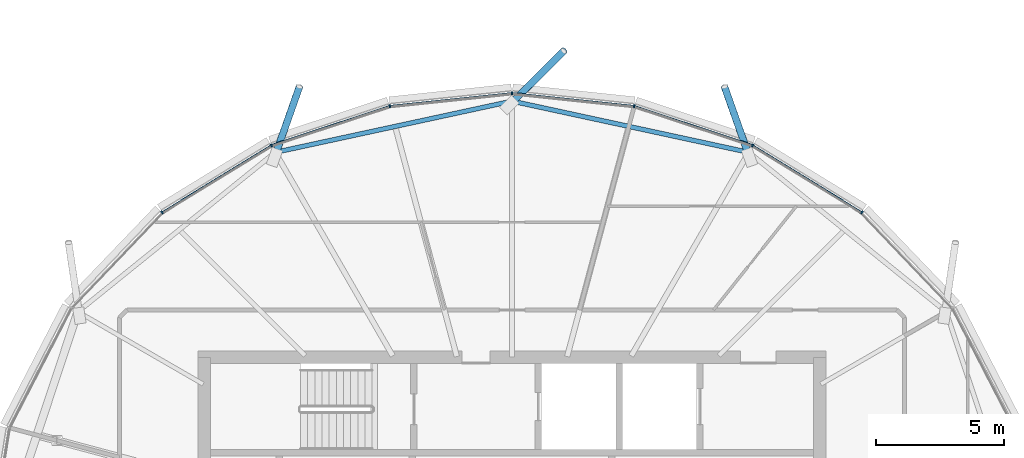
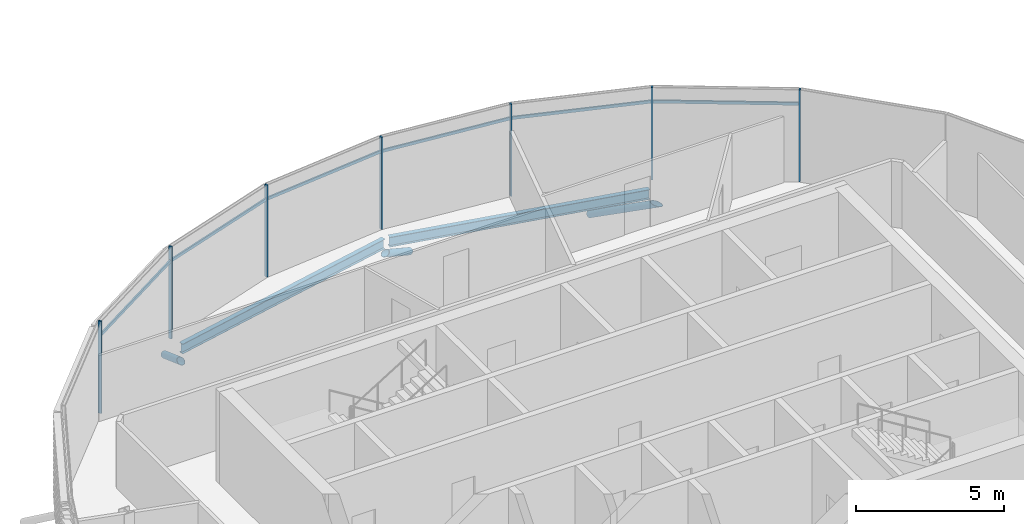
# One storey, part 8 of 33: 16 members, 2 beams, 1 element without a shape of its own.
"""IFC4 building model written with IfcOpenShell, lengths in metres."""

from ifc_helpers import new_model, si_unit, direction, frame, origin, origin_2d, place, context, subcontext, project, spatial, rectangle, hollow_circle, i_section, extrude, clip, halfspace, material, material_profile, profile_set, type_object, element, aggregate, save


model = new_model("IFC4")

# Units and contexts
model_context = context("Model", 3, precision=1e-05, world=origin(), true_north=direction((0.0, 1.0)))
body_context = subcontext(model_context, "Body", "Model", "MODEL_VIEW")
ifc_project = project(units=[si_unit("LENGTHUNIT", "METRE"), si_unit("AREAUNIT", "SQUARE_METRE"), si_unit("VOLUMEUNIT", "CUBIC_METRE"), si_unit("PLANEANGLEUNIT", "RADIAN"), si_unit("MASSUNIT", "GRAM", prefix="KILO")], contexts=[model_context])

# Site, building, storey
site_placement = place(None, origin())
site = spatial("IfcSite", under=ifc_project, at=site_placement, CompositionType="ELEMENT")
building_placement = place(site_placement, origin())
building = spatial("IfcBuilding", under=site, at=building_placement, Name="Rimbun Link Towers", CompositionType="ELEMENT")
storey_placement = place(building_placement, frame((0.0, 0.0, 240.89990234375)))
storey = spatial("IfcBuildingStorey", under=building, at=storey_placement, Name="L59", CompositionType="ELEMENT", Elevation=240.89990234375)

# Curtain wall, members
ifc_material_1 = material(Name="Aluminium 6063-T6 and low-iron glass", Category="aluminium")
curtain_wall_type = type_object("IfcCurtainWallType", Name="CW1-Z4 unitised vision wall (zone 4)", PredefinedType="NOTDEFINED", material=ifc_material_1)
curtain_wall_placement = place(storey_placement, origin())
curtain_wall = element("IfcCurtainWall", 1, at=curtain_wall_placement, inside=storey, type_object=curtain_wall_type, Name="CW1 L59 T1", PredefinedType="NOTDEFINED")
ifc_material_2 = material(Name="Aluminium 6063-T6", Category="aluminium")
ifc_material_profile_1 = material_profile(ifc_material_2, rectangle(XDim=0.1201171875, YDim=0.06005859375, at=origin_2d()), Name="MULLION 60X120")
ifc_profile_set_1 = profile_set([ifc_material_profile_1], Name="Aluminium 6063-T6")
member_type_1 = type_object("IfcMemberType", Name="CW1 mullion 60X120", PredefinedType="MULLION", material=ifc_profile_set_1)
member_1_placement = place(storey_placement, frame((-18.10888671875, 13.650146484375, 0.0), z_axis=(0.0, 0.0, 1.0), x_axis=(0.627668219007, 0.778480961134, 0.0)))
member_1 = element("IfcMember", 2, at=member_1_placement, type_object=member_type_1, Name="CW1 mullion", PredefinedType="MULLION", context=body_context, shape_type="SweptSolid", body=[
    extrude(rectangle(XDim=0.1201171875, YDim=0.06005859375, at=origin_2d()), origin(), (0.0, 0.0, 1.0), 3.800048828125),
])
member_2_placement = place(storey_placement, frame((-22.365966796875, 16.26416015625, 0.0), z_axis=(0.0, 0.0, 1.0), x_axis=(0.421706445948, 0.90673241557, 0.0)))
member_2 = element("IfcMember", 3, at=member_2_placement, type_object=member_type_1, Name="CW1 mullion", PredefinedType="MULLION", context=body_context, shape_type="SweptSolid", body=[
    extrude(rectangle(XDim=0.1201171875, YDim=0.06005859375, at=origin_2d()), origin(), (0.0, 0.0, 1.0), 3.800048828125),
])
member_3_placement = place(storey_placement, frame((-26.98486328125, 17.794921875, 0.0), z_axis=(0.0, 0.0, 1.0), x_axis=(0.210871343796, 0.97751382413, 0.0)))
member_3 = element("IfcMember", 4, at=member_3_placement, type_object=member_type_1, Name="CW1 mullion", PredefinedType="MULLION", context=body_context, shape_type="SweptSolid", body=[
    extrude(rectangle(XDim=0.1201171875, YDim=0.06005859375, at=origin_2d()), origin(), (0.0, 0.0, 1.0), 3.800048828125),
])
member_4_placement = place(storey_placement, frame((-31.75, 18.296875, 0.0), z_axis=(0.0, 0.0, 1.0), x_axis=(0.0, 1.0, 0.0)))
member_4 = element("IfcMember", 5, at=member_4_placement, type_object=member_type_1, Name="CW1 mullion", PredefinedType="MULLION", context=body_context, shape_type="SweptSolid", body=[
    extrude(rectangle(XDim=0.1201171875, YDim=0.06005859375, at=origin_2d()), origin(), (0.0, 0.0, 1.0), 3.800048828125),
])
member_5_placement = place(storey_placement, frame((-36.51513671875, 17.794921875, 0.0), z_axis=(0.0, 0.0, 1.0), x_axis=(-0.210871343796, 0.97751382413, 0.0)))
member_5 = element("IfcMember", 6, at=member_5_placement, type_object=member_type_1, Name="CW1 mullion", PredefinedType="MULLION", context=body_context, shape_type="SweptSolid", body=[
    extrude(rectangle(XDim=0.1201171875, YDim=0.06005859375, at=origin_2d()), origin(), (0.0, 0.0, 1.0), 3.800048828125),
])
member_6_placement = place(storey_placement, frame((-41.134033203125, 16.26416015625, 0.0), z_axis=(0.0, 0.0, 1.0), x_axis=(-0.421706445948, 0.90673241557, 0.0)))
member_6 = element("IfcMember", 7, at=member_6_placement, type_object=member_type_1, Name="CW1 mullion", PredefinedType="MULLION", context=body_context, shape_type="SweptSolid", body=[
    extrude(rectangle(XDim=0.1201171875, YDim=0.06005859375, at=origin_2d()), origin(), (0.0, 0.0, 1.0), 3.800048828125),
])
member_7_placement = place(storey_placement, frame((-45.39111328125, 13.650146484375, 0.0), z_axis=(0.0, 0.0, 1.0), x_axis=(-0.627668219007, 0.778480961134, 0.0)))
member_7 = element("IfcMember", 8, at=member_7_placement, type_object=member_type_1, Name="CW1 mullion", PredefinedType="MULLION", context=body_context, shape_type="SweptSolid", body=[
    extrude(rectangle(XDim=0.1201171875, YDim=0.06005859375, at=origin_2d()), origin(), (0.0, 0.0, 1.0), 3.800048828125),
])
ifc_material_3 = material(Name="Aluminium 6063-T6", Category="aluminium")
ifc_material_profile_2 = material_profile(ifc_material_3, rectangle(XDim=0.06005859375, YDim=0.1201171875, at=origin_2d()), Name="TRANSOM 60X120")
ifc_profile_set_2 = profile_set([ifc_material_profile_2], Name="Aluminium 6063-T6")
member_type_2 = type_object("IfcMemberType", Name="CW1 transom 60X120", PredefinedType="USERDEFINED", material=ifc_profile_set_2)
member_8_placement = place(storey_placement, frame((-22.33544921875, 16.243408203125, 3.2001953125), z_axis=(0.852213138176, -0.523194769775, 0.0), x_axis=(0.523194769775, 0.852213138176, 0.0)))
member_8 = element("IfcMember", 9, at=member_8_placement, type_object=member_type_2, Name="CW1 transom", ObjectType="TRANSOM", PredefinedType="USERDEFINED", context=body_context, shape_type="SweptSolid", body=[
    extrude(rectangle(XDim=0.06005859375, YDim=0.1201171875, at=origin_2d()), origin(), (0.0, 0.0, 1.0), 4.921142578125),
])
member_9_placement = place(storey_placement, frame((-26.950927734375, 17.781982421875, 3.2001953125), z_axis=(0.94923709396, -0.314561503446, 0.0), x_axis=(0.314561503446, 0.94923709396, 0.0)))
member_9 = element("IfcMember", 10, at=member_9_placement, type_object=member_type_2, Name="CW1 transom", ObjectType="TRANSOM", PredefinedType="USERDEFINED", context=body_context, shape_type="SweptSolid", body=[
    extrude(rectangle(XDim=0.06005859375, YDim=0.1201171875, at=origin_2d()), origin(), (0.0, 0.0, 1.0), 4.792724609375),
])
member_10_placement = place(storey_placement, frame((-31.714111328125, 18.291259765625, 3.2001953125), z_axis=(0.994502050465, -0.104717102806, 0.0), x_axis=(0.104717102806, 0.994502050465, 0.0)))
member_10 = element("IfcMember", 11, at=member_10_placement, type_object=member_type_2, Name="CW1 transom", ObjectType="TRANSOM", PredefinedType="USERDEFINED", context=body_context, shape_type="SweptSolid", body=[
    extrude(rectangle(XDim=0.06005859375, YDim=0.1201171875, at=origin_2d()), origin(), (0.0, 0.0, 1.0), 4.71875),
])
member_11_placement = place(storey_placement, frame((-36.478759765625, 17.797119140625, 3.2001953125), z_axis=(0.994502050465, 0.104717102806, 0.0), x_axis=(-0.104717102806, 0.994502050465, 0.0)))
member_11 = element("IfcMember", 12, at=member_11_placement, type_object=member_type_2, Name="CW1 transom", ObjectType="TRANSOM", PredefinedType="USERDEFINED", context=body_context, shape_type="SweptSolid", body=[
    extrude(rectangle(XDim=0.06005859375, YDim=0.1201171875, at=origin_2d()), origin(), (0.0, 0.0, 1.0), 4.71875),
])
member_12_placement = place(storey_placement, frame((-41.098388671875, 16.2744140625, 3.2001953125), z_axis=(0.94923709396, 0.314561503446, 0.0), x_axis=(-0.314561503446, 0.94923709396, 0.0)))
member_12 = element("IfcMember", 13, at=member_12_placement, type_object=member_type_2, Name="CW1 transom", ObjectType="TRANSOM", PredefinedType="USERDEFINED", context=body_context, shape_type="SweptSolid", body=[
    extrude(rectangle(XDim=0.06005859375, YDim=0.1201171875, at=origin_2d()), origin(), (0.0, 0.0, 1.0), 4.792724609375),
])
member_13_placement = place(storey_placement, frame((-45.3583984375, 13.668701171875, 3.2001953125), z_axis=(0.852213138176, 0.523194769775, 0.0), x_axis=(-0.523194769775, 0.852213138176, 0.0)))
member_13 = element("IfcMember", 14, at=member_13_placement, type_object=member_type_2, Name="CW1 transom", ObjectType="TRANSOM", PredefinedType="USERDEFINED", context=body_context, shape_type="SweptSolid", body=[
    extrude(rectangle(XDim=0.06005859375, YDim=0.1201171875, at=origin_2d()), origin(), (0.0, 0.0, 1.0), 4.921142578125),
])
aggregate(curtain_wall, [member_1, member_2, member_3, member_4, member_5, member_6, member_7, member_8, member_9, member_10, member_11, member_12, member_13])

# Members
ifc_material_4 = material(Name="Steel S355J2H", Category="steel")
ifc_material_profile_3 = material_profile(ifc_material_4, hollow_circle(Radius=0.136474609375, WallThickness=0.012451171875, at=origin_2d()), Name="CHS 273x12.5")
ifc_profile_set_3 = profile_set([ifc_material_profile_3], Name="Steel S355J2H")
member_type_3 = type_object("IfcMemberType", Name="Floor edge link CHS 273x12.5", PredefinedType="BRACE", material=ifc_profile_set_3)
member_14_placement = place(storey_placement, frame((-22.5439453125, 15.9453125, -0.7900390625), z_axis=(-0.28572828046, 0.808884234012, -0.513873180573), x_axis=(-0.942902597786, -0.333068598173, 0.0)))
element("IfcMember", 15, at=member_14_placement, inside=storey, type_object=member_type_3, Name="Floor edge link T1 L59 04", PredefinedType="BRACE", context=body_context, shape_type="Clipping", body=[
    clip(extrude(hollow_circle(Radius=0.136474609375, WallThickness=0.012451171875, at=origin_2d()), frame((0.0, 0.0, -0.47509765625)), (0.0, 0.0, 1.0), 3.710205078125), halfspace(frame((0.0, 0.0, -0.223876953125), z_axis=(0.0, 0.857866163389, -0.513873180573)), False)),
])
member_15_placement = place(storey_placement, frame((-31.75, 17.935302734375, -0.78759765625), z_axis=(0.595968799284, 0.590767876111, -0.543888322025), x_axis=(-0.704001095381, 0.710198886018, 0.0)))
element("IfcMember", 16, at=member_15_placement, inside=storey, type_object=member_type_3, Name="Floor edge link T1 L59 06", PredefinedType="BRACE", context=body_context, shape_type="Clipping", body=[
    clip(extrude(hollow_circle(Radius=0.136474609375, WallThickness=0.012451171875, at=origin_2d()), frame((0.0, 0.0, -0.439697265625)), (0.0, 0.0, 1.0), 3.866455078125), halfspace(frame((0.0, 0.0, -0.20703125), z_axis=(0.0, 0.839157609252, -0.543888322025)), False)),
])
member_16_placement = place(storey_placement, frame((-40.9560546875, 15.9453125, -0.7900390625), z_axis=(0.28572828046, 0.808884234012, -0.513873180573), x_axis=(-0.942902597786, 0.333068598173, 0.0)))
element("IfcMember", 17, at=member_16_placement, inside=storey, type_object=member_type_3, Name="Floor edge link T1 L59 08", PredefinedType="BRACE", context=body_context, shape_type="Clipping", body=[
    clip(extrude(hollow_circle(Radius=0.136474609375, WallThickness=0.012451171875, at=origin_2d()), frame((0.0, 0.0, -0.47509765625)), (0.0, 0.0, 1.0), 3.710205078125), halfspace(frame((0.0, 0.0, -0.223876953125), z_axis=(0.0, 0.857866163389, -0.513873180573)), False)),
])

# Beams
ifc_material_5 = material(Name="Steel S355J2", Category="steel")
ifc_material_profile_4 = material_profile(ifc_material_5, i_section(OverallWidth=0.177978515625, OverallDepth=0.406494140625, WebThickness=0.0078125, FlangeThickness=0.0126953125, at=origin_2d()), Name="UB 406x178x60")
ifc_profile_set_4 = profile_set([ifc_material_profile_4], Name="Steel S355J2")
beam_type = type_object("IfcBeamType", Name="UB 406x178x60", PredefinedType="BEAM", material=ifc_profile_set_4)
for number, where, z_axis, x_axis, name in (
    (18, (-22.627197265625, 16.01220703125, -0.343017578125), (-0.977396285813, 0.211415468873, 0.0), (-0.211415468873, -0.977396285813, 0.0), "Edge beam T1 L59 04-06"),
    (19, (-31.855712890625, 17.962646484375, -0.343017578125), (-0.977396285813, -0.211415468873, 0.0), (0.211415468873, -0.977396285813, 0.0), "Edge beam T1 L59 06-08"),
):
    element("IfcBeam", number, at=place(storey_placement, frame(where, z_axis=z_axis, x_axis=x_axis)), inside=storey, type_object=beam_type, Name=name, PredefinedType="BEAM", context=body_context, shape_type="SweptSolid", body=[
        extrude(i_section(OverallWidth=0.177978515625, OverallDepth=0.406494140625, WebThickness=0.0078125, FlangeThickness=0.0126953125, at=origin_2d()), origin(), (0.0, 0.0, 1.0), 9.2255859375),
    ])

save(model, "model.ifc")
